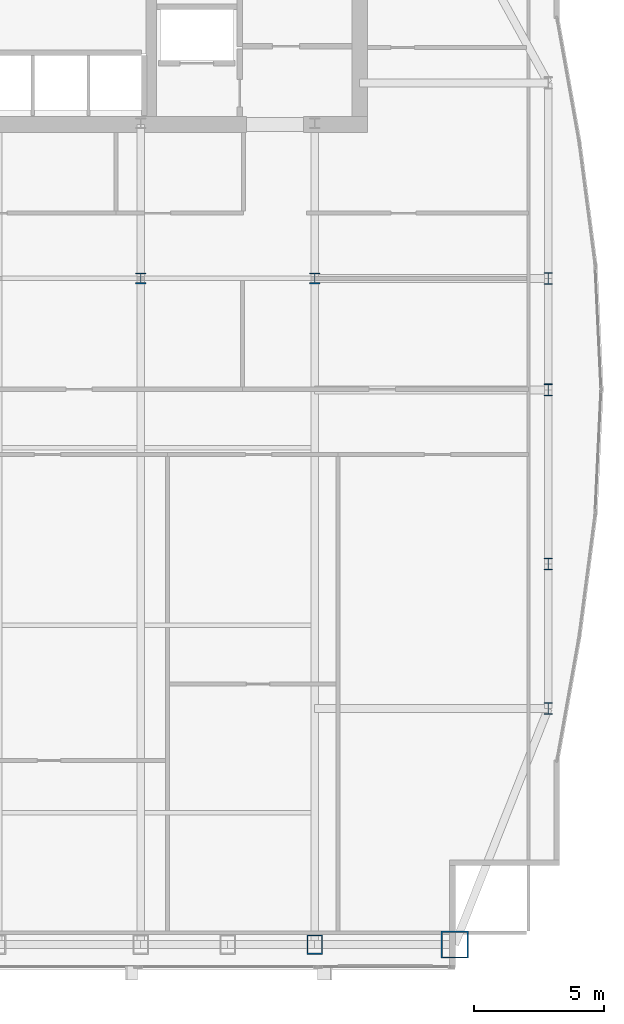
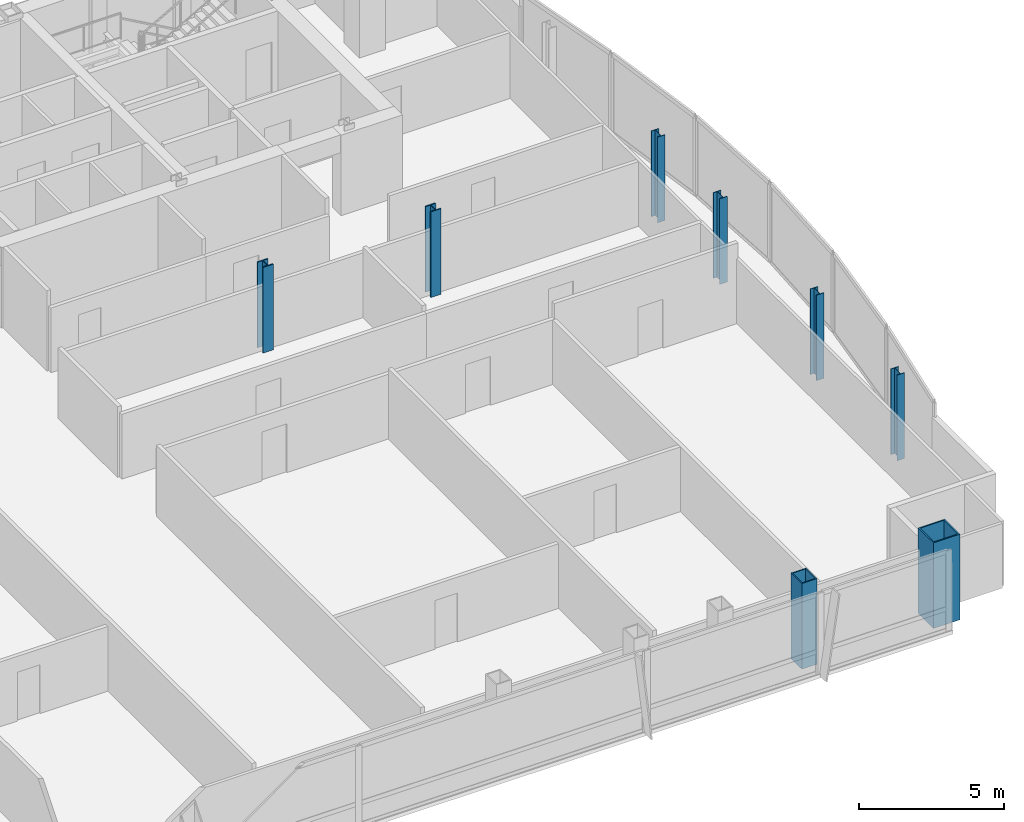
# One storey, part 2 of 30: 8 columns.
"""IFC4 building model written with IfcOpenShell, lengths in metres."""

from ifc_helpers import new_model, si_unit, direction, frame, origin, origin_2d, place, context, subcontext, project, spatial, hollow_rectangle, i_section, extrude, material, material_profile, profile_set, type_object, element, save


model = new_model("IFC4")

# Units and contexts
model_context = context("Model", 3, precision=1e-05, world=origin(), true_north=direction((0.0, 1.0)))
body_context = subcontext(model_context, "Body", "Model", "MODEL_VIEW")
ifc_project = project(units=[si_unit("LENGTHUNIT", "METRE"), si_unit("AREAUNIT", "SQUARE_METRE"), si_unit("VOLUMEUNIT", "CUBIC_METRE"), si_unit("PLANEANGLEUNIT", "RADIAN"), si_unit("MASSUNIT", "GRAM", prefix="KILO")], contexts=[model_context])

# Site, building, storey
site_placement = place(None, origin())
site = spatial("IfcSite", under=ifc_project, at=site_placement, CompositionType="ELEMENT")
building_placement = place(site_placement, origin())
building = spatial("IfcBuilding", under=site, at=building_placement, Name="Khoronbel Lancet Exchange", CompositionType="ELEMENT")
storey_placement = place(building_placement, frame((0.0, 0.0, 253.39990234375)))
storey = spatial("IfcBuildingStorey", under=building, at=storey_placement, Name="L65", CompositionType="ELEMENT", Elevation=253.39990234375)

# Columns
ifc_material_1 = material(Name="Steel S460", Category="steel")
ifc_material_profile_1 = material_profile(ifc_material_1, hollow_rectangle(XDim=0.60009765625, YDim=0.75, WallThickness=0.044921875, at=origin_2d()), Name="BOX 750x600x45")
ifc_profile_set_1 = profile_set([ifc_material_profile_1], Name="Steel S460")
column_type_1 = type_object("IfcColumnType", Name="COL-EC3", PredefinedType="COLUMN", material=ifc_profile_set_1)
column_1_placement = place(storey_placement, frame((54.675048828125, 10.14990234375, 0.0), z_axis=(0.0, 0.0, 1.0), x_axis=(1.0, 0.0, 0.0)))
element("IfcColumn", 1, at=column_1_placement, inside=storey, type_object=column_type_1, Name="Structural column SC-E2 L65", PredefinedType="COLUMN", context=body_context, shape_type="SweptSolid", body=[
    extrude(hollow_rectangle(XDim=0.60009765625, YDim=0.75, WallThickness=0.044921875, at=origin_2d()), origin(), (0.0, 0.0, 1.0), 3.60009765625),
])
ifc_material_2 = material(Name="Steel S355", Category="steel")
ifc_material_profile_2 = material_profile(ifc_material_2, i_section(OverallWidth=0.406005859375, OverallDepth=0.416015625, WebThickness=0.02978515625, FlangeThickness=0.048095703125, at=origin_2d()), Name="HD 400x382")
ifc_profile_set_2 = profile_set([ifc_material_profile_2], Name="Steel S355")
column_type_2 = type_object("IfcColumnType", Name="COL-IC3", PredefinedType="COLUMN", material=ifc_profile_set_2)
for number, where, z_axis, x_axis, name in (
    (2, (48.0, 35.699951171875, 0.0), (0.0, 0.0, 1.0), (1.0, 0.0, 0.0), "Spine gravity column TC3 L65"),
    (3, (54.675048828125, 35.699951171875, 0.0), (0.0, 0.0, 1.0), (1.0, 0.0, 0.0), "Spine gravity column TC4 L65"),
):
    element("IfcColumn", number, at=place(storey_placement, frame(where, z_axis=z_axis, x_axis=x_axis)), inside=storey, type_object=column_type_2, Name=name, PredefinedType="COLUMN", context=body_context, shape_type="SweptSolid", body=[
        extrude(i_section(OverallWidth=0.406005859375, OverallDepth=0.416015625, WebThickness=0.02978515625, FlangeThickness=0.048095703125, at=origin_2d()), origin(), (0.0, 0.0, 1.0), 3.60009765625),
    ])
ifc_material_profile_3 = material_profile(ifc_material_2, i_section(OverallWidth=0.300048828125, OverallDepth=0.449951171875, WebThickness=0.013916015625, FlangeThickness=0.02587890625, at=origin_2d()), Name="HEB 450")
ifc_profile_set_3 = profile_set([ifc_material_profile_3], Name="Steel S355")
column_type_3 = type_object("IfcColumnType", Name="COL-LC2", PredefinedType="COLUMN", material=ifc_profile_set_3)
for number, where, z_axis, x_axis, name in (
    (4, (63.6298828125, 19.199951171875, 0.0), (0.0, 0.0, 1.0), (1.0, 0.0, 0.0), "Structural column EC-1 L65"),
    (5, (63.6298828125, 24.75, 0.0), (0.0, 0.0, 1.0), (1.0, 0.0, 0.0), "Structural column EC-2 L65"),
    (6, (63.6298828125, 31.425048828125, 0.0), (0.0, 0.0, 1.0), (1.0, 0.0, 0.0), "Structural column EC-M L65"),
    (7, (63.6298828125, 35.699951171875, 0.0), (0.0, 0.0, 1.0), (1.0, 0.0, 0.0), "Structural column EC-3 L65"),
):
    element("IfcColumn", number, at=place(storey_placement, frame(where, z_axis=z_axis, x_axis=x_axis)), inside=storey, type_object=column_type_3, Name=name, PredefinedType="COLUMN", context=body_context, shape_type="SweptSolid", body=[
        extrude(i_section(OverallWidth=0.300048828125, OverallDepth=0.449951171875, WebThickness=0.013916015625, FlangeThickness=0.02587890625, at=origin_2d()), origin(), (0.0, 0.0, 1.0), 3.60009765625),
    ])
ifc_material_profile_4 = material_profile(ifc_material_1, hollow_rectangle(XDim=1.050048828125, YDim=1.050048828125, WallThickness=0.054931640625, at=origin_2d()), Name="BOX 1050x1050x55")
ifc_profile_set_4 = profile_set([ifc_material_profile_4], Name="Steel S460")
column_type_4 = type_object("IfcColumnType", Name="COL-MC6", PredefinedType="COLUMN", material=ifc_profile_set_4)
column_2_placement = place(storey_placement, frame((60.050048828125, 10.14990234375, 0.0), z_axis=(0.0, 0.0, 1.0), x_axis=(1.0, 0.0, 0.0)))
element("IfcColumn", 8, at=column_2_placement, inside=storey, type_object=column_type_4, Name="Structural column MC-SE L65", PredefinedType="COLUMN", context=body_context, shape_type="SweptSolid", body=[
    extrude(hollow_rectangle(XDim=1.050048828125, YDim=1.050048828125, WallThickness=0.054931640625, at=origin_2d()), origin(), (0.0, 0.0, 1.0), 3.60009765625),
])

save(model, "model.ifc")
